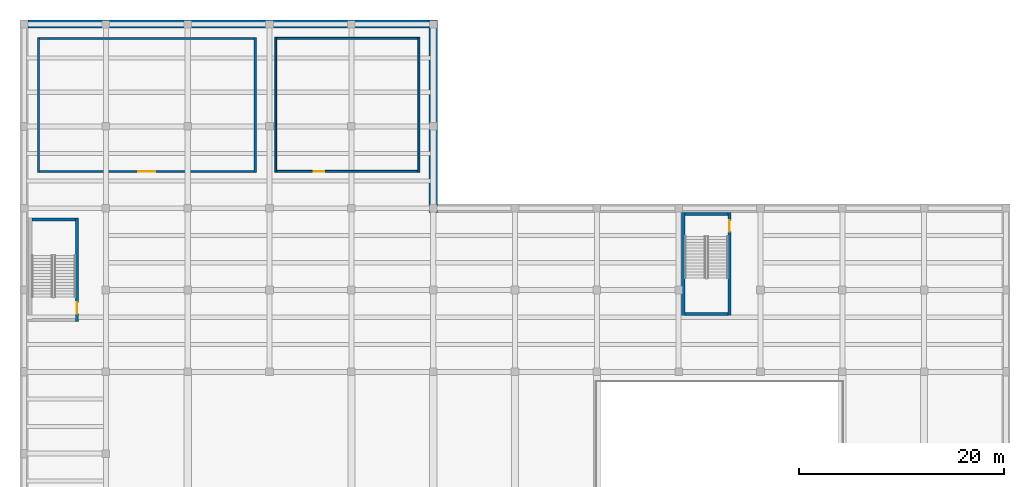
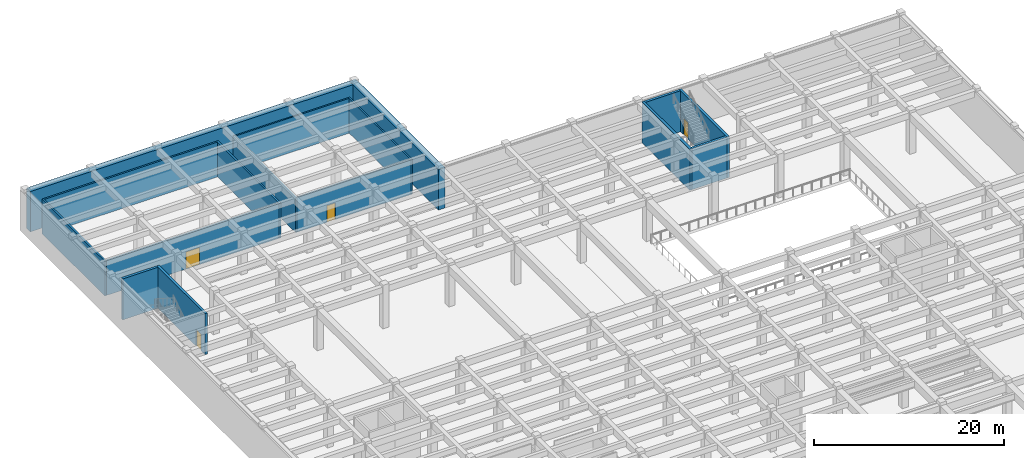
# One storey, part 10 of 19: 16 walls, 4 doors, 4 openings.
"""IFC4 building model written with IfcOpenShell, lengths in metres."""

from ifc_helpers import new_model, si_unit, direction, frame, frame_2d, origin, place, context, subcontext, project, spatial, rectangle, extrude, material, layer, layer_set, type_object, element, fill, save


model = new_model("IFC4")

# Units and contexts
model_context = context("Model", 3, precision=1e-05, world=origin(), true_north=direction((0.0, 1.0)))
body_context = subcontext(model_context, "Body", "Model", "MODEL_VIEW")
ifc_project = project(units=[si_unit("LENGTHUNIT", "METRE"), si_unit("AREAUNIT", "SQUARE_METRE"), si_unit("VOLUMEUNIT", "CUBIC_METRE"), si_unit("PLANEANGLEUNIT", "RADIAN"), si_unit("MASSUNIT", "GRAM", prefix="KILO")], contexts=[model_context])

# Site, building, storey
site_placement = place(None, origin())
site = spatial("IfcSite", under=ifc_project, at=site_placement, CompositionType="ELEMENT")
building_placement = place(site_placement, origin())
building = spatial("IfcBuilding", under=site, at=building_placement, Name="Drelvath Fold Interchange", CompositionType="ELEMENT")
storey_placement = place(building_placement, frame((0.0, 0.0, -5.60009765625)))
storey = spatial("IfcBuildingStorey", under=building, at=storey_placement, Name="B1", CompositionType="ELEMENT", Elevation=-5.60009765625)

# Wall, opening, door
ifc_material_1 = material(Name="Concrete f'c 45 MPa (6500 psi)", Category="concrete")
ifc_layer_1 = layer(ifc_material_1, 0.300048828125, Name="Concrete f'c 45 MPa (6500 psi)")
ifc_layer_set_1 = layer_set([ifc_layer_1], Name="Concrete f'c 45 MPa (6500 psi)")
wall_type_1 = type_object("IfcWallType", Name="WL-CR300", PredefinedType="SHEAR", material=ifc_layer_set_1)
wall_1_placement = place(storey_placement, frame((9.179931640625, 87.89990234375, 0.0), z_axis=(0.0, 0.0, 1.0), x_axis=(0.0, 1.0, 0.0)))
wall_1 = element("IfcWall", 1, at=wall_1_placement, inside=storey, type_object=wall_type_1, Name="ST-05 B1 east core wall", PredefinedType="SHEAR", context=body_context, shape_type="SweptSolid", body=[
    extrude(rectangle(XDim=10.150146484375, YDim=0.300048828125, at=frame_2d((5.0751953125, 0.0))), origin(), (0.0, 0.0, 1.0), 5.275146484375),
])
opening_1_placement = place(wall_1_placement, frame((0.800048828125, 0.0, 0.0)))
opening_1 = element("IfcOpeningElement", 2, at=opening_1_placement, cuts=wall_1, Name="Opening D-B1-033", PredefinedType="OPENING", context=body_context, shape_type="SweptSolid", body=[
    extrude(rectangle(XDim=1.10009765625, YDim=2.14990234375, at=frame_2d((0.550048828125, 1.074951171875))), frame((0.0, 0.159912109375, 0.0), z_axis=(0.0, -1.0, 0.0), x_axis=(1.0, 0.0, 0.0)), (0.0, 0.0, 1.0), 0.320068359375),
])
ifc_material_2 = material(Name="Insulated Hollow Metal Door Assembly")
door_type_1 = type_object("IfcDoorType", Name="DR-ST1100", OperationType="NOTDEFINED", PredefinedType="DOOR", material=ifc_material_2)
door_1_placement = place(opening_1_placement, origin())
door_1 = element("IfcDoor", 3, at=door_1_placement, inside=storey, type_object=door_type_1, Name="ST-05 B1 stair fire door D-B1-033", OperationType="SINGLE_SWING_LEFT", OverallHeight=2.14990234375, OverallWidth=1.10009765625, PredefinedType="DOOR", context=body_context, shape_type="SweptSolid", body=[
    extrude(rectangle(XDim=1.10009765625, YDim=2.14990234375, at=frame_2d((0.550048828125, 1.074951171875))), frame((0.0, 0.02490234375, 0.0), z_axis=(0.0, -1.0, 0.0), x_axis=(1.0, 0.0, 0.0)), (0.0, 0.0, 1.0), 0.050048828125),
])
fill(opening_1, door_1)

# Walls
wall_2_placement = place(storey_placement, frame((9.030029296875, 97.89990234375, 0.0), z_axis=(0.0, 0.0, 1.0), x_axis=(-1.0, 0.0, 0.0)))
element("IfcWall", 4, at=wall_2_placement, inside=storey, type_object=wall_type_1, Name="ST-05 B1 north core wall", PredefinedType="SHEAR", context=body_context, shape_type="SweptSolid", body=[
    extrude(rectangle(XDim=4.280029296875, YDim=0.300048828125, at=frame_2d((2.14013671875, 0.0))), origin(), (0.0, 0.0, 1.0), 5.275146484375),
])
wall_3_placement = place(storey_placement, frame((68.60009765625, 88.64990234375, 0.0), z_axis=(0.0, 0.0, 1.0), x_axis=(1.0, 0.0, 0.0)))
element("IfcWall", 5, at=wall_3_placement, inside=storey, type_object=wall_type_1, Name="ST-06 B1 south core wall", PredefinedType="SHEAR", context=body_context, shape_type="SweptSolid", body=[
    extrude(rectangle(XDim=4.219970703125, YDim=0.300048828125, at=frame_2d((2.10986328125, 0.0))), origin(), (0.0, 0.0, 1.0), 5.275146484375),
])

# Wall, opening, door
wall_4_placement = place(storey_placement, frame((72.969970703125, 88.5, 0.0), z_axis=(0.0, 0.0, 1.0), x_axis=(0.0, 1.0, 0.0)))
wall_4 = element("IfcWall", 6, at=wall_4_placement, inside=storey, type_object=wall_type_1, Name="ST-06 B1 east core wall", PredefinedType="SHEAR", context=body_context, shape_type="SweptSolid", body=[
    extrude(rectangle(XDim=10.10009765625, YDim=0.300048828125, at=frame_2d((5.050048828125, 0.0))), origin(), (0.0, 0.0, 1.0), 5.275146484375),
])
opening_2_placement = place(wall_4_placement, frame((8.199951171875, 0.0, 0.0)))
opening_2 = element("IfcOpeningElement", 7, at=opening_2_placement, cuts=wall_4, Name="Opening D-B1-038", PredefinedType="OPENING", context=body_context, shape_type="SweptSolid", body=[
    extrude(rectangle(XDim=1.10009765625, YDim=2.14990234375, at=frame_2d((0.550048828125, 1.074951171875))), frame((0.0, 0.159912109375, 0.0), z_axis=(0.0, -1.0, 0.0), x_axis=(1.0, 0.0, 0.0)), (0.0, 0.0, 1.0), 0.320068359375),
])
door_2_placement = place(opening_2_placement, origin())
door_2 = element("IfcDoor", 8, at=door_2_placement, inside=storey, type_object=door_type_1, Name="ST-06 B1 stair fire door D-B1-038", OperationType="SINGLE_SWING_RIGHT", OverallHeight=2.14990234375, OverallWidth=1.10009765625, PredefinedType="DOOR", context=body_context, shape_type="SweptSolid", body=[
    extrude(rectangle(XDim=1.10009765625, YDim=2.14990234375, at=frame_2d((0.550048828125, 1.074951171875))), frame((0.0, 0.02490234375, 0.0), z_axis=(0.0, -1.0, 0.0), x_axis=(1.0, 0.0, 0.0)), (0.0, 0.0, 1.0), 0.050048828125),
])
fill(opening_2, door_2)

# Walls
wall_5_placement = place(storey_placement, frame((72.820068359375, 98.449951171875, 0.0), z_axis=(0.0, 0.0, 1.0), x_axis=(-1.0, 0.0, 0.0)))
element("IfcWall", 9, at=wall_5_placement, inside=storey, type_object=wall_type_1, Name="ST-06 B1 north core wall", PredefinedType="SHEAR", context=body_context, shape_type="SweptSolid", body=[
    extrude(rectangle(XDim=4.219970703125, YDim=0.300048828125, at=frame_2d((2.10986328125, 0.0))), origin(), (0.0, 0.0, 1.0), 5.275146484375),
])
wall_6_placement = place(storey_placement, frame((68.449951171875, 98.60009765625, 0.0), z_axis=(0.0, 0.0, 1.0), x_axis=(0.0, -1.0, 0.0)))
element("IfcWall", 10, at=wall_6_placement, inside=storey, type_object=wall_type_1, Name="ST-06 B1 west core wall", PredefinedType="SHEAR", context=body_context, shape_type="SweptSolid", body=[
    extrude(rectangle(XDim=10.10009765625, YDim=0.300048828125, at=frame_2d((5.050048828125, 0.0))), origin(), (0.0, 0.0, 1.0), 5.275146484375),
])
ifc_layer_2 = layer(ifc_material_1, 0.800048828125, Name="Concrete f'c 45 MPa (6500 psi)")
ifc_layer_set_2 = layer_set([ifc_layer_2], Name="Concrete f'c 45 MPa (6500 psi)")
wall_type_2 = type_object("IfcWallType", Name="WL-DW800", PredefinedType="SOLIDWALL", material=ifc_layer_set_2)
wall_7_placement = place(storey_placement, frame((44.0, 98.60009765625, 0.0), z_axis=(0.0, 0.0, 1.0), x_axis=(0.0, 1.0, 0.0)))
element("IfcWall", 11, at=wall_7_placement, inside=storey, type_object=wall_type_2, Name="B1 diaphragm wall 36", PredefinedType="SOLIDWALL", context=body_context, shape_type="SweptSolid", body=[
    extrude(rectangle(XDim=18.7998046875, YDim=0.800048828125, at=frame_2d((9.39990234375, 0.0))), origin(), (0.0, 0.0, 1.0), 5.18017578125),
])
wall_8_placement = place(storey_placement, frame((4.39990234375, 117.0, 0.0), z_axis=(0.0, 0.0, 1.0), x_axis=(1.0, 0.0, 0.0)))
element("IfcWall", 12, at=wall_8_placement, inside=storey, type_object=wall_type_2, Name="B1 diaphragm wall 37", PredefinedType="SOLIDWALL", context=body_context, shape_type="SweptSolid", body=[
    extrude(rectangle(XDim=39.2001953125, YDim=0.800048828125, at=frame_2d((19.60009765625, 0.0))), origin(), (0.0, 0.0, 1.0), 5.18017578125),
])

# Wall, opening, door
ifc_material_3 = material(Name="Fire-Rated Gypsum Board Assembly")
ifc_layer_3 = layer(ifc_material_3, 0.179931640625, Name="Fire-Rated Gypsum Board Assembly")
ifc_layer_set_3 = layer_set([ifc_layer_3], Name="Fire-Rated Gypsum Board Assembly")
wall_type_3 = type_object("IfcWallType", Name="WL-FR180", PredefinedType="PARTITIONING", material=ifc_layer_set_3)
wall_9_placement = place(storey_placement, frame((28.68994140625, 102.60009765625, 0.0), z_axis=(0.0, 0.0, 1.0), x_axis=(1.0, 0.0, 0.0)))
wall_9 = element("IfcWall", 13, at=wall_9_placement, inside=storey, type_object=wall_type_3, Name="Mezzanine Switchgear Room S partition", PredefinedType="PARTITIONING", context=body_context, shape_type="SweptSolid", body=[
    extrude(rectangle(XDim=13.820068359375, YDim=0.179931640625, at=frame_2d((6.91015625, 0.0))), origin(), (0.0, 0.0, 1.0), 4.47509765625),
])
opening_3_placement = place(wall_9_placement, frame((3.64599609375, 0.0, 0.0)))
opening_3 = element("IfcOpeningElement", 14, at=opening_3_placement, cuts=wall_9, Name="Opening D-B1-090", PredefinedType="OPENING", context=body_context, shape_type="SweptSolid", body=[
    extrude(rectangle(XDim=1.0, YDim=2.139892578125, at=frame_2d((0.5, 1.06982421875))), frame((0.0, 0.099853515625, 0.0), z_axis=(0.0, -1.0, 0.0), x_axis=(1.0, 0.0, 0.0)), (0.0, 0.0, 1.0), 0.199951171875),
])
door_type_2 = type_object("IfcDoorType", Name="DR-FD100", OperationType="NOTDEFINED", PredefinedType="DOOR", material=ifc_material_2)
door_3_placement = place(opening_3_placement, origin())
door_3 = element("IfcDoor", 15, at=door_3_placement, inside=storey, type_object=door_type_2, Name="Mezzanine Switchgear Room door D-B1-090", OperationType="SINGLE_SWING_LEFT", OverallHeight=2.139892578125, OverallWidth=1.0, PredefinedType="DOOR", context=body_context, shape_type="SweptSolid", body=[
    extrude(rectangle(XDim=1.0, YDim=2.139892578125, at=frame_2d((0.5, 1.06982421875))), frame((0.0, 0.02490234375, 0.0), z_axis=(0.0, -1.0, 0.0), x_axis=(1.0, 0.0, 0.0)), (0.0, 0.0, 1.0), 0.050048828125),
])
fill(opening_3, door_3)

# Walls
wall_10_placement = place(storey_placement, frame((42.60009765625, 102.510009765625, 0.0), z_axis=(0.0, 0.0, 1.0), x_axis=(0.0, 1.0, 0.0)))
element("IfcWall", 16, at=wall_10_placement, inside=storey, type_object=wall_type_3, Name="Mezzanine Switchgear Room E partition", PredefinedType="PARTITIONING", context=body_context, shape_type="SweptSolid", body=[
    extrude(rectangle(XDim=13.179931640625, YDim=0.179931640625, at=frame_2d((6.58984375, 0.0))), origin(), (0.0, 0.0, 1.0), 4.47509765625),
])
wall_11_placement = place(storey_placement, frame((42.510009765625, 115.60009765625, 0.0), z_axis=(0.0, 0.0, 1.0), x_axis=(-1.0, 0.0, 0.0)))
element("IfcWall", 17, at=wall_11_placement, inside=storey, type_object=wall_type_3, Name="Mezzanine Switchgear Room N partition", PredefinedType="PARTITIONING", context=body_context, shape_type="SweptSolid", body=[
    extrude(rectangle(XDim=13.820068359375, YDim=0.179931640625, at=frame_2d((6.91015625, 0.0))), origin(), (0.0, 0.0, 1.0), 4.47509765625),
])
wall_12_placement = place(storey_placement, frame((28.60009765625, 115.68994140625, 0.0), z_axis=(0.0, 0.0, 1.0), x_axis=(0.0, -1.0, 0.0)))
element("IfcWall", 18, at=wall_12_placement, inside=storey, type_object=wall_type_3, Name="Mezzanine Switchgear Room W partition", PredefinedType="PARTITIONING", context=body_context, shape_type="SweptSolid", body=[
    extrude(rectangle(XDim=13.179931640625, YDim=0.179931640625, at=frame_2d((6.58984375, 0.0))), origin(), (0.0, 0.0, 1.0), 4.47509765625),
])

# Wall, opening, door
ifc_material_4 = material(Name="Concrete f'c 35 MPa (5000 psi)", Category="concrete")
ifc_layer_4 = layer(ifc_material_4, 0.2099609375, Name="Concrete f'c 35 MPa (5000 psi)")
ifc_layer_set_4 = layer_set([ifc_layer_4], Name="Concrete f'c 35 MPa (5000 psi)")
wall_type_4 = type_object("IfcWallType", Name="WL-FR210", PredefinedType="SOLIDWALL", material=ifc_layer_set_4)
wall_13_placement = place(storey_placement, frame((5.5048828125, 102.60009765625, 0.0), z_axis=(0.0, 0.0, 1.0), x_axis=(1.0, 0.0, 0.0)))
wall_13 = element("IfcWall", 19, at=wall_13_placement, inside=storey, type_object=wall_type_4, Name="Concourse Chilled Water Plant Room S partition", PredefinedType="SOLIDWALL", context=body_context, shape_type="SweptSolid", body=[
    extrude(rectangle(XDim=20.990234375, YDim=0.2099609375, at=frame_2d((10.4951171875, 0.0))), origin(), (0.0, 0.0, 1.0), 4.47509765625),
])
opening_4_placement = place(wall_13_placement, frame((9.669921875, 0.0, 0.0)))
opening_4 = element("IfcOpeningElement", 20, at=opening_4_placement, cuts=wall_13, Name="Opening D-B1-089", PredefinedType="OPENING", context=body_context, shape_type="SweptSolid", body=[
    extrude(rectangle(XDim=1.64990234375, YDim=2.199951171875, at=frame_2d((0.824951171875, 1.10009765625))), frame((0.0, 0.114990234375, 0.0), z_axis=(0.0, -1.0, 0.0), x_axis=(1.0, 0.0, 0.0)), (0.0, 0.0, 1.0), 0.22998046875),
])
door_type_3 = type_object("IfcDoorType", Name="DR-FD165", OperationType="DOUBLE_DOOR_SINGLE_SWING", PredefinedType="DOOR", material=ifc_material_2)
door_4_placement = place(opening_4_placement, frame((1.64990234375, 0.0, 0.0), z_axis=(0.0, 0.0, 1.0), x_axis=(-1.0, 0.0, 0.0)))
door_4 = element("IfcDoor", 21, at=door_4_placement, inside=storey, type_object=door_type_3, Name="Concourse Chilled Water Plant Room door D-B1-089", OperationType="DOUBLE_DOOR_SINGLE_SWING", OverallHeight=2.199951171875, OverallWidth=1.64990234375, PredefinedType="DOOR", context=body_context, shape_type="SweptSolid", body=[
    extrude(rectangle(XDim=1.64990234375, YDim=2.199951171875, at=frame_2d((0.824951171875, 1.10009765625))), frame((0.0, 0.02490234375, 0.0), z_axis=(0.0, -1.0, 0.0), x_axis=(1.0, 0.0, 0.0)), (0.0, 0.0, 1.0), 0.050048828125),
])
fill(opening_4, door_4)

# Walls
wall_14_placement = place(storey_placement, frame((26.60009765625, 102.4951171875, 0.0), z_axis=(0.0, 0.0, 1.0), x_axis=(0.0, 1.0, 0.0)))
element("IfcWall", 22, at=wall_14_placement, inside=storey, type_object=wall_type_4, Name="Concourse Chilled Water Plant Room E partition", PredefinedType="SOLIDWALL", context=body_context, shape_type="SweptSolid", body=[
    extrude(rectangle(XDim=13.2099609375, YDim=0.2099609375, at=frame_2d((6.60498046875, 0.0))), origin(), (0.0, 0.0, 1.0), 4.47509765625),
])
wall_15_placement = place(storey_placement, frame((26.4951171875, 115.60009765625, 0.0), z_axis=(0.0, 0.0, 1.0), x_axis=(-1.0, 0.0, 0.0)))
element("IfcWall", 23, at=wall_15_placement, inside=storey, type_object=wall_type_4, Name="Concourse Chilled Water Plant Room N partition", PredefinedType="SOLIDWALL", context=body_context, shape_type="SweptSolid", body=[
    extrude(rectangle(XDim=20.990234375, YDim=0.2099609375, at=frame_2d((10.4951171875, 0.0))), origin(), (0.0, 0.0, 1.0), 4.47509765625),
])
wall_16_placement = place(storey_placement, frame((5.39990234375, 115.705078125, 0.0), z_axis=(0.0, 0.0, 1.0), x_axis=(0.0, -1.0, 0.0)))
element("IfcWall", 24, at=wall_16_placement, inside=storey, type_object=wall_type_4, Name="Concourse Chilled Water Plant Room W partition", PredefinedType="SOLIDWALL", context=body_context, shape_type="SweptSolid", body=[
    extrude(rectangle(XDim=13.2099609375, YDim=0.2099609375, at=frame_2d((6.60498046875, 0.0))), origin(), (0.0, 0.0, 1.0), 4.47509765625),
])

save(model, "model.ifc")
